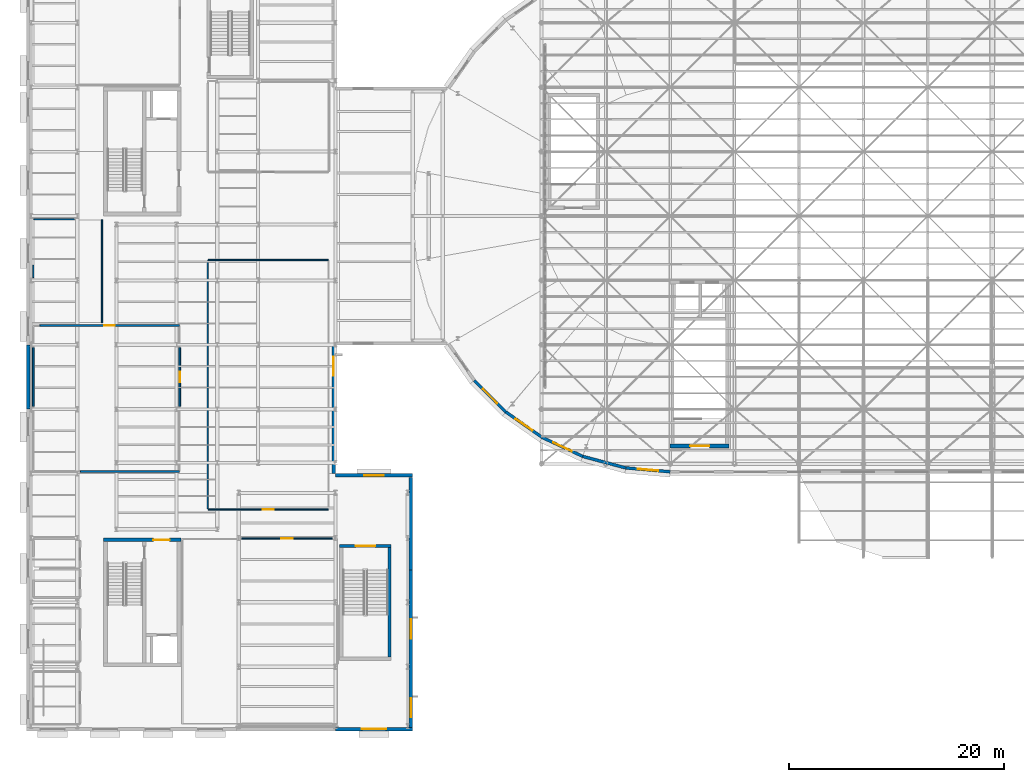
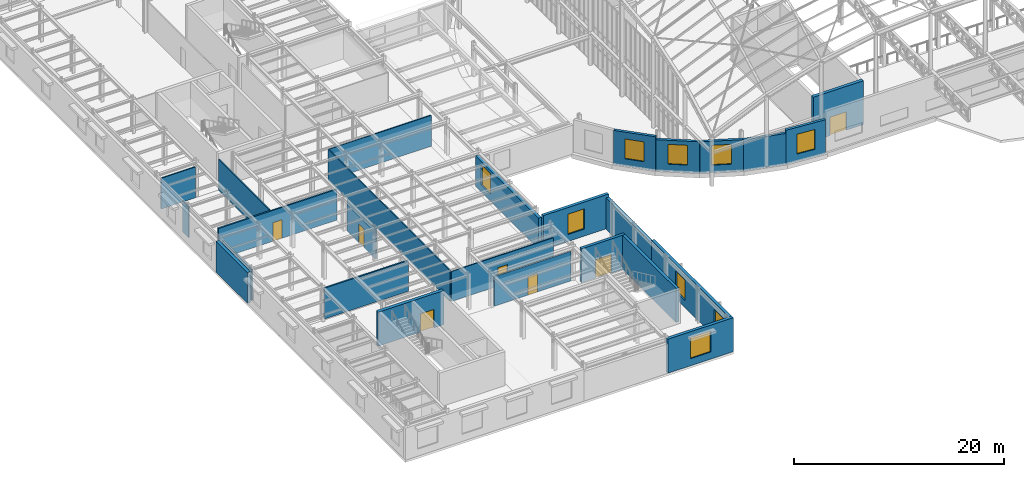
# One storey, part 61 of 75: 26 walls, 9 windows, 7 doors, 16 openings.
"""IFC4 building model written with IfcOpenShell, lengths in metres."""

from ifc_helpers import new_model, si_unit, direction, frame, frame_2d, origin, place, context, subcontext, project, spatial, rectangle, extrude, material, layer, layer_set, type_object, element, fill, save


model = new_model("IFC4")

# Units and contexts
model_context = context("Model", 3, precision=1e-05, world=origin(), true_north=direction((0.0, 1.0)))
body_context = subcontext(model_context, "Body", "Model", "MODEL_VIEW")
ifc_project = project(units=[si_unit("LENGTHUNIT", "METRE"), si_unit("AREAUNIT", "SQUARE_METRE"), si_unit("VOLUMEUNIT", "CUBIC_METRE"), si_unit("PLANEANGLEUNIT", "RADIAN"), si_unit("MASSUNIT", "GRAM", prefix="KILO")], contexts=[model_context])

# Site, building, storey
site_placement = place(None, origin())
site = spatial("IfcSite", under=ifc_project, at=site_placement, CompositionType="ELEMENT")
building_placement = place(site_placement, origin())
building = spatial("IfcBuilding", under=site, at=building_placement, Name="Kolvaren Corner Interchange", CompositionType="ELEMENT")
storey_placement = place(building_placement, frame((0.0, 0.0, 10.5)))
storey = spatial("IfcBuildingStorey", under=building, at=storey_placement, Name="L03", CompositionType="ELEMENT", Elevation=10.5)

# Wall, opening, door
ifc_material_1 = material(Name="Concrete C35/45", Category="concrete")
ifc_layer_1 = layer(ifc_material_1, 0.35009765625)
ifc_layer_set_1 = layer_set([ifc_layer_1], Name="Concrete C35/45")
wall_type_1 = type_object("IfcWallType", Name="WL-CORE-350", PredefinedType="SHEAR", material=ifc_layer_set_1)
wall_1_placement = place(storey_placement, frame((7.199951171875, 17.824951171875, 0.0), z_axis=(0.0, 0.0, 1.0), x_axis=(1.0, 0.0, 0.0)))
wall_1 = element("IfcWall", 1, at=wall_1_placement, inside=storey, type_object=wall_type_1, Name="Core C1 L03 North Shear Wall", PredefinedType="SHEAR", context=body_context, shape_type="SweptSolid", body=[
    extrude(rectangle(XDim=7.199951171875, YDim=0.35009765625, at=frame_2d((3.60009765625, 0.0))), origin(), (0.0, 0.0, 1.0), 3.949951171875),
])
opening_1_placement = place(wall_1_placement, frame((4.64990234375, 0.0, 0.0)))
opening_1 = element("IfcOpeningElement", 2, at=opening_1_placement, cuts=wall_1, Name="Opening D-F02", PredefinedType="OPENING", context=body_context, shape_type="SweptSolid", body=[
    extrude(rectangle(XDim=1.5, YDim=2.14990234375, at=frame_2d((0.75, 1.074951171875))), frame((0.0, 0.18505859375, 0.0), z_axis=(0.0, -1.0, 0.0), x_axis=(1.0, 0.0, 0.0)), (0.0, 0.0, 1.0), 0.3701171875),
])
ifc_material_2 = material(Name="Powder-coated Fire-rated Steel Sheet", Category="steel")
door_type_1 = type_object("IfcDoorType", Name="DT-FD-1500x2150", OperationType="NOTDEFINED", PredefinedType="DOOR", material=ifc_material_2)
door_1_placement = place(opening_1_placement, origin())
door_1 = element("IfcDoor", 3, at=door_1_placement, inside=storey, type_object=door_type_1, Name="Core C1 L03 Firefighting Lobby Corridor Exit Door", OperationType="DOUBLE_DOOR_SINGLE_SWING", OverallHeight=2.14990234375, OverallWidth=1.5, PredefinedType="DOOR", context=body_context, shape_type="SweptSolid", body=[
    extrude(rectangle(XDim=1.5, YDim=2.14990234375, at=frame_2d((0.75, 1.074951171875))), frame((0.0, 0.02490234375, 0.0), z_axis=(0.0, -1.0, 0.0), x_axis=(1.0, 0.0, 0.0)), (0.0, 0.0, 1.0), 0.050048828125),
])
fill(opening_1, door_1)

wall_2_placement = place(storey_placement, frame((60.0, 26.574951171875, 0.0), z_axis=(0.0, 0.0, 1.0), x_axis=(1.0, 0.0, 0.0)))
wall_2 = element("IfcWall", 4, at=wall_2_placement, inside=storey, type_object=wall_type_1, Name="Core C3 L03 South Shear Wall", PredefinedType="SHEAR", context=body_context, shape_type="SweptSolid", body=[
    extrude(rectangle(XDim=5.5, YDim=0.35009765625, at=frame_2d((2.75, 0.0))), origin(), (0.0, 0.0, 1.0), 5.10009765625),
])
opening_2_placement = place(wall_2_placement, frame((1.85009765625, 0.0, 0.0)))
opening_2 = element("IfcOpeningElement", 5, at=opening_2_placement, cuts=wall_2, Name="Opening D-F01", PredefinedType="OPENING", context=body_context, shape_type="SweptSolid", body=[
    extrude(rectangle(XDim=1.800048828125, YDim=2.14990234375, at=frame_2d((0.89990234375, 1.074951171875))), frame((0.0, 0.18505859375, 0.0), z_axis=(0.0, -1.0, 0.0), x_axis=(1.0, 0.0, 0.0)), (0.0, 0.0, 1.0), 0.3701171875),
])
ifc_material_3 = material(Name="Powder-coated Fire-rated Steel Sheet", Category="steel")
door_type_2 = type_object("IfcDoorType", Name="DT-FD-1800x2150", OperationType="NOTDEFINED", PredefinedType="DOOR", material=ifc_material_3)
door_2_placement = place(opening_2_placement, origin())
door_2 = element("IfcDoor", 6, at=door_2_placement, inside=storey, type_object=door_type_2, Name="Core C3 West Concourse Transfer Stair L03 Protected Exit Door", OperationType="DOUBLE_DOOR_SINGLE_SWING", OverallHeight=2.14990234375, OverallWidth=1.800048828125, PredefinedType="DOOR", context=body_context, shape_type="SweptSolid", body=[
    extrude(rectangle(XDim=1.800048828125, YDim=2.14990234375, at=frame_2d((0.89990234375, 1.074951171875))), frame((0.0, 0.02490234375, 0.0), z_axis=(0.0, -1.0, 0.0), x_axis=(1.0, 0.0, 0.0)), (0.0, 0.0, 1.0), 0.050048828125),
])
fill(opening_2, door_2)

ifc_material_4 = material(Name="Concrete C35/45", Category="concrete")
ifc_layer_2 = layer(ifc_material_4, 0.31005859375)
ifc_layer_set_2 = layer_set([ifc_layer_2], Name="Concrete C35/45")
wall_type_2 = type_object("IfcWallType", Name="WL-STAIR-300", PredefinedType="SHEAR", material=ifc_layer_set_2)
wall_3_placement = place(storey_placement, frame((29.199951171875, 17.2451171875, 0.0), z_axis=(0.0, 0.0, 1.0), x_axis=(1.0, 0.0, 0.0)))
wall_3 = element("IfcWall", 7, at=wall_3_placement, inside=storey, type_object=wall_type_2, Name="Operations South Bar Protected Exit Stair L03 North Enclosure Wall", PredefinedType="SHEAR", context=body_context, shape_type="SweptSolid", body=[
    extrude(rectangle(XDim=4.800048828125, YDim=0.31005859375, at=frame_2d((2.39990234375, 0.0))), origin(), (0.0, 0.0, 1.0), 3.949951171875),
])
opening_3_placement = place(wall_3_placement, frame((1.5, 0.0, 0.0)))
opening_3 = element("IfcOpeningElement", 8, at=opening_3_placement, cuts=wall_3, Name="Opening D-F01", PredefinedType="OPENING", context=body_context, shape_type="SweptSolid", body=[
    extrude(rectangle(XDim=1.800048828125, YDim=2.14990234375, at=frame_2d((0.89990234375, 1.074951171875))), frame((0.0, 0.1650390625, 0.0), z_axis=(0.0, -1.0, 0.0), x_axis=(1.0, 0.0, 0.0)), (0.0, 0.0, 1.0), 0.330078125),
])
door_3_placement = place(opening_3_placement, origin())
door_3 = element("IfcDoor", 9, at=door_3_placement, inside=storey, type_object=door_type_2, Name="Operations South Bar Protected Exit Stair L03 Protected Exit Door", OperationType="DOUBLE_DOOR_SINGLE_SWING", OverallHeight=2.14990234375, OverallWidth=1.800048828125, PredefinedType="DOOR", context=body_context, shape_type="SweptSolid", body=[
    extrude(rectangle(XDim=1.800048828125, YDim=2.14990234375, at=frame_2d((0.89990234375, 1.074951171875))), frame((0.0, 0.02490234375, 0.0), z_axis=(0.0, -1.0, 0.0), x_axis=(1.0, 0.0, 0.0)), (0.0, 0.0, 1.0), 0.050048828125),
])
fill(opening_3, door_3)

# Wall
wall_4_placement = place(storey_placement, frame((33.844970703125, 6.909912109375, 0.0), z_axis=(0.0, 0.0, 1.0), x_axis=(0.0, 1.0, 0.0)))
element("IfcWall", 10, at=wall_4_placement, inside=storey, type_object=wall_type_2, Name="Operations South Bar Protected Exit Stair L03 East Enclosure Wall", PredefinedType="SHEAR", context=body_context, shape_type="SweptSolid", body=[
    extrude(rectangle(XDim=10.18017578125, YDim=0.31005859375, at=frame_2d((5.090087890625, 0.0))), origin(), (0.0, 0.0, 1.0), 3.949951171875),
])

# Wall, opening, window
ifc_material_5 = material(Name="Cream Architectural Terracotta Rainscreen Assembly", Category="masonry")
ifc_layer_3 = layer(ifc_material_5, 0.330078125)
ifc_layer_set_3 = layer_set([ifc_layer_3], Name="Cream Architectural Terracotta Rainscreen Assembly")
wall_type_3 = type_object("IfcWallType", Name="WT-EXT-TC320", PredefinedType="SOLIDWALL", material=ifc_layer_set_3)
wall_5_placement = place(storey_placement, frame((28.800048828125, 0.179931640625, 0.0), z_axis=(0.0, 0.0, 1.0), x_axis=(1.0, 0.0, 0.0)))
wall_5 = element("IfcWall", 11, at=wall_5_placement, inside=storey, type_object=wall_type_3, Name="Operations Boulevard South Facade Wall 0027", PredefinedType="SOLIDWALL", context=body_context, shape_type="SweptSolid", body=[
    extrude(rectangle(XDim=7.199951171875, YDim=0.330078125, at=frame_2d((3.60009765625, 0.0))), origin(), (0.0, 0.0, 1.0), 3.949951171875),
])
opening_4_placement = place(wall_5_placement, frame((2.47509765625, 0.0, 0.820068359375)))
opening_4 = element("IfcOpeningElement", 12, at=opening_4_placement, cuts=wall_5, Name="Opening W-19", PredefinedType="OPENING", context=body_context, shape_type="SweptSolid", body=[
    extrude(rectangle(XDim=2.25, YDim=2.449951171875, at=frame_2d((1.125, 1.22509765625))), frame((0.0, 0.175048828125, 0.0), z_axis=(0.0, -1.0, 0.0), x_axis=(1.0, 0.0, 0.0)), (0.0, 0.0, 1.0), 0.35009765625),
])
ifc_material_6 = material(Name="Thermally Broken Aluminium and Solar-Control Double Glazing", Category="aluminium")
window_type_1 = type_object("IfcWindowType", Name="WT-CHI-2250x2450", PartitioningType="TRIPLE_PANEL_HORIZONTAL", PredefinedType="WINDOW", material=ifc_material_6)
window_1_placement = place(opening_4_placement, origin())
window_1 = element("IfcWindow", 13, at=window_1_placement, inside=storey, type_object=window_type_1, Name="L03 Operations Boulevard South Facade Window 0061", OverallHeight=2.449951171875, OverallWidth=2.25, PartitioningType="SINGLE_PANEL", PredefinedType="WINDOW", context=body_context, shape_type="SweptSolid", body=[
    extrude(rectangle(XDim=2.25, YDim=2.449951171875, at=frame_2d((1.125, 1.22509765625))), frame((0.0, 0.030029296875, 0.0), z_axis=(0.0, -1.0, 0.0), x_axis=(1.0, 0.0, 0.0)), (0.0, 0.0, 1.0), 0.06005859375),
])
fill(opening_4, window_1)

# Wall, openings, windows
wall_6_placement = place(storey_placement, frame((35.830078125, 0.344970703125, 0.0), z_axis=(0.0, 0.0, 1.0), x_axis=(0.0, 1.0, 0.0)))
wall_6 = element("IfcWall", 14, at=wall_6_placement, inside=storey, type_object=wall_type_3, Name="Operations Forecourt East Facade Wall 0028", PredefinedType="SOLIDWALL", context=body_context, shape_type="SweptSolid", body=[
    extrude(rectangle(XDim=14.655029296875, YDim=0.330078125, at=frame_2d((7.32763671875, 0.0))), origin(), (0.0, 0.0, 1.0), 3.949951171875),
])
opening_5_placement = place(wall_6_placement, frame((0.931884765625, 0.0, 0.820068359375)))
opening_5 = element("IfcOpeningElement", 15, at=opening_5_placement, cuts=wall_6, Name="Opening W-03", PredefinedType="OPENING", context=body_context, shape_type="SweptSolid", body=[
    extrude(rectangle(XDim=1.800048828125, YDim=2.35009765625, at=frame_2d((0.89990234375, 1.175048828125))), frame((0.0, 0.175048828125, 0.0), z_axis=(0.0, -1.0, 0.0), x_axis=(1.0, 0.0, 0.0)), (0.0, 0.0, 1.0), 0.35009765625),
])
opening_6_placement = place(wall_6_placement, frame((8.259521484375, 0.0, 0.820068359375)))
opening_6 = element("IfcOpeningElement", 16, at=opening_6_placement, cuts=wall_6, Name="Opening W-03", PredefinedType="OPENING", context=body_context, shape_type="SweptSolid", body=[
    extrude(rectangle(XDim=1.800048828125, YDim=2.35009765625, at=frame_2d((0.89990234375, 1.175048828125))), frame((0.0, 0.175048828125, 0.0), z_axis=(0.0, -1.0, 0.0), x_axis=(1.0, 0.0, 0.0)), (0.0, 0.0, 1.0), 0.35009765625),
])
ifc_material_7 = material(Name="Thermally Broken Aluminium and Solar-Control Double Glazing", Category="aluminium")
window_type_2 = type_object("IfcWindowType", Name="WT-CHI-1800x2400", PartitioningType="DOUBLE_PANEL_VERTICAL", PredefinedType="WINDOW", material=ifc_material_7)
window_2_placement = place(opening_5_placement, origin())
window_2 = element("IfcWindow", 17, at=window_2_placement, inside=storey, type_object=window_type_2, Name="L03 Operations Forecourt East Facade Window 0062", OverallHeight=2.35009765625, OverallWidth=1.800048828125, PartitioningType="SINGLE_PANEL", PredefinedType="WINDOW", context=body_context, shape_type="SweptSolid", body=[
    extrude(rectangle(XDim=1.800048828125, YDim=2.35009765625, at=frame_2d((0.89990234375, 1.175048828125))), frame((0.0, 0.030029296875, 0.0), z_axis=(0.0, -1.0, 0.0), x_axis=(1.0, 0.0, 0.0)), (0.0, 0.0, 1.0), 0.06005859375),
])
fill(opening_5, window_2)
window_3_placement = place(opening_6_placement, origin())
window_3 = element("IfcWindow", 18, at=window_3_placement, inside=storey, type_object=window_type_2, Name="L03 Operations Forecourt East Facade Window 0063", OverallHeight=2.35009765625, OverallWidth=1.800048828125, PartitioningType="SINGLE_PANEL", PredefinedType="WINDOW", context=body_context, shape_type="SweptSolid", body=[
    extrude(rectangle(XDim=1.800048828125, YDim=2.35009765625, at=frame_2d((0.89990234375, 1.175048828125))), frame((0.0, 0.030029296875, 0.0), z_axis=(0.0, -1.0, 0.0), x_axis=(1.0, 0.0, 0.0)), (0.0, 0.0, 1.0), 0.06005859375),
])
fill(opening_6, window_3)

# Wall
wall_7_placement = place(storey_placement, frame((35.830078125, 15.0, 0.0), z_axis=(0.0, 0.0, 1.0), x_axis=(0.0, 1.0, 0.0)))
element("IfcWall", 19, at=wall_7_placement, inside=storey, type_object=wall_type_3, Name="Operations Forecourt East Facade Wall 0029", PredefinedType="SOLIDWALL", context=body_context, shape_type="SweptSolid", body=[
    extrude(rectangle(XDim=8.64990234375, YDim=0.330078125, at=frame_2d((4.324951171875, 0.0))), origin(), (0.0, 0.0, 1.0), 3.625),
])

# Wall, opening, window
wall_8_placement = place(storey_placement, frame((36.0, 23.830078125, 0.0), z_axis=(0.0, 0.0, 1.0), x_axis=(-1.0, 0.0, 0.0)))
wall_8 = element("IfcWall", 20, at=wall_8_placement, inside=storey, type_object=wall_type_3, Name="Operations Inner Courtyard South Return Wall 0030", PredefinedType="SOLIDWALL", context=body_context, shape_type="SweptSolid", body=[
    extrude(rectangle(XDim=7.199951171875, YDim=0.330078125, at=frame_2d((3.60009765625, 0.0))), origin(), (0.0, 0.0, 1.0), 3.949951171875),
])
opening_7_placement = place(wall_8_placement, frame((2.699951171875, 0.0, 0.820068359375)))
opening_7 = element("IfcOpeningElement", 21, at=opening_7_placement, cuts=wall_8, Name="Opening W-03", PredefinedType="OPENING", context=body_context, shape_type="SweptSolid", body=[
    extrude(rectangle(XDim=1.800048828125, YDim=2.35009765625, at=frame_2d((0.89990234375, 1.175048828125))), frame((0.0, 0.175048828125, 0.0), z_axis=(0.0, -1.0, 0.0), x_axis=(1.0, 0.0, 0.0)), (0.0, 0.0, 1.0), 0.35009765625),
])
window_4_placement = place(opening_7_placement, origin())
window_4 = element("IfcWindow", 22, at=window_4_placement, inside=storey, type_object=window_type_2, Name="L03 Operations Inner Courtyard South Return Window 0064", OverallHeight=2.35009765625, OverallWidth=1.800048828125, PartitioningType="SINGLE_PANEL", PredefinedType="WINDOW", context=body_context, shape_type="SweptSolid", body=[
    extrude(rectangle(XDim=1.800048828125, YDim=2.35009765625, at=frame_2d((0.89990234375, 1.175048828125))), frame((0.0, 0.030029296875, 0.0), z_axis=(0.0, -1.0, 0.0), x_axis=(1.0, 0.0, 0.0)), (0.0, 0.0, 1.0), 0.06005859375),
])
fill(opening_7, window_4)

wall_9_placement = place(storey_placement, frame((28.6298828125, 24.0, 0.0), z_axis=(0.0, 0.0, 1.0), x_axis=(0.0, 1.0, 0.0)))
wall_9 = element("IfcWall", 23, at=wall_9_placement, inside=storey, type_object=wall_type_3, Name="Operations Courtyard Lower East Facade Wall 0031", PredefinedType="SOLIDWALL", context=body_context, shape_type="SweptSolid", body=[
    extrude(rectangle(XDim=12.0, YDim=0.330078125, at=frame_2d((6.0, 0.0))), origin(), (0.0, 0.0, 1.0), 3.56494140625),
])
opening_8_placement = place(wall_9_placement, frame((9.10009765625, 0.0, 0.820068359375)))
opening_8 = element("IfcOpeningElement", 24, at=opening_8_placement, cuts=wall_9, Name="Opening W-03", PredefinedType="OPENING", context=body_context, shape_type="SweptSolid", body=[
    extrude(rectangle(XDim=1.800048828125, YDim=2.35009765625, at=frame_2d((0.89990234375, 1.175048828125))), frame((0.0, 0.175048828125, 0.0), z_axis=(0.0, -1.0, 0.0), x_axis=(1.0, 0.0, 0.0)), (0.0, 0.0, 1.0), 0.35009765625),
])
window_5_placement = place(opening_8_placement, origin())
window_5 = element("IfcWindow", 25, at=window_5_placement, inside=storey, type_object=window_type_2, Name="L03 Operations Courtyard Lower East Facade Window 0065", OverallHeight=2.35009765625, OverallWidth=1.800048828125, PartitioningType="SINGLE_PANEL", PredefinedType="WINDOW", context=body_context, shape_type="SweptSolid", body=[
    extrude(rectangle(XDim=1.800048828125, YDim=2.35009765625, at=frame_2d((0.89990234375, 1.175048828125))), frame((0.0, 0.030029296875, 0.0), z_axis=(0.0, -1.0, 0.0), x_axis=(1.0, 0.0, 0.0)), (0.0, 0.0, 1.0), 0.06005859375),
])
fill(opening_8, window_5)

# Wall
wall_10_placement = place(storey_placement, frame((0.169921875, 36.0, 0.0), z_axis=(0.0, 0.0, 1.0), x_axis=(0.0, -1.0, 0.0)))
element("IfcWall", 26, at=wall_10_placement, inside=storey, type_object=wall_type_3, Name="Operations Trelmava Street West Facade Wall 0035", PredefinedType="SOLIDWALL", context=body_context, shape_type="SweptSolid", body=[
    extrude(rectangle(XDim=6.0, YDim=0.330078125, at=frame_2d((3.0, 0.0))), origin(), (0.0, 0.0, 1.0), 3.5849609375),
])

# Wall, opening, window
ifc_material_8 = material(Name="White Glazed Ceramic Terracotta Band Assembly", Category="masonry")
ifc_layer_4 = layer(ifc_material_8, 0.280029296875)
ifc_layer_set_4 = layer_set([ifc_layer_4], Name="White Glazed Ceramic Terracotta Band Assembly")
wall_type_4 = type_object("IfcWallType", Name="WT-EXT-WHT280", PredefinedType="SOLIDWALL", material=ifc_layer_set_4)
wall_11_placement = place(storey_placement, frame((41.737548828125, 32.67578125, 0.0), z_axis=(0.0, 0.0, 1.0), x_axis=(0.707106781187, -0.707106781187, 0.0)))
wall_11 = element("IfcWall", 27, at=wall_11_placement, inside=storey, type_object=wall_type_4, Name="Racetrack West Curved Drum Chord 14 Wall 0096", PredefinedType="SOLIDWALL", context=body_context, shape_type="SweptSolid", body=[
    extrude(rectangle(XDim=4.1552734375, YDim=0.280029296875, at=frame_2d((2.07763671875, 0.0))), origin(), (0.0, 0.0, 1.0), 3.949951171875),
])
opening_9_placement = place(wall_11_placement, frame((1.127685546875, 0.0, 0.85009765625)))
opening_9 = element("IfcOpeningElement", 28, at=opening_9_placement, cuts=wall_11, Name="Opening W-05", PredefinedType="OPENING", context=body_context, shape_type="SweptSolid", body=[
    extrude(rectangle(XDim=1.89990234375, YDim=2.300048828125, at=frame_2d((0.949951171875, 1.14990234375))), frame((0.0, 0.14990234375, 0.0), z_axis=(0.0, -1.0, 0.0), x_axis=(1.0, 0.0, 0.0)), (0.0, 0.0, 1.0), 0.300048828125),
])
ifc_material_9 = material(Name="Thermally Broken Aluminium and Solar-Control Double Glazing", Category="aluminium")
window_type_3 = type_object("IfcWindowType", Name="WT-ARC-1900x2300", PartitioningType="DOUBLE_PANEL_VERTICAL", PredefinedType="WINDOW", material=ifc_material_9)
window_6_placement = place(opening_9_placement, origin())
window_6 = element("IfcWindow", 29, at=window_6_placement, inside=storey, type_object=window_type_3, Name="L03 Racetrack West Curved Drum Chord 14 Window 0171", OverallHeight=2.300048828125, OverallWidth=1.89990234375, PartitioningType="SINGLE_PANEL", PredefinedType="WINDOW", context=body_context, shape_type="SweptSolid", body=[
    extrude(rectangle(XDim=1.89990234375, YDim=2.300048828125, at=frame_2d((0.949951171875, 1.14990234375))), frame((0.0, 0.030029296875, 0.0), z_axis=(0.0, -1.0, 0.0), x_axis=(1.0, 0.0, 0.0)), (0.0, 0.0, 1.0), 0.06005859375),
])
fill(opening_9, window_6)

wall_12_placement = place(storey_placement, frame((44.67578125, 29.737548828125, 0.0), z_axis=(0.0, 0.0, 1.0), x_axis=(0.819171197327, -0.573549082007, 0.0)))
wall_12 = element("IfcWall", 30, at=wall_12_placement, inside=storey, type_object=wall_type_4, Name="Racetrack West Curved Drum Chord 15 Wall 0097", PredefinedType="SOLIDWALL", context=body_context, shape_type="SweptSolid", body=[
    extrude(rectangle(XDim=4.15576171875, YDim=0.280029296875, at=frame_2d((2.077880859375, 0.0))), origin(), (0.0, 0.0, 1.0), 3.625),
])
opening_10_placement = place(wall_12_placement, frame((1.127685546875, 0.0, 0.85009765625)))
opening_10 = element("IfcOpeningElement", 31, at=opening_10_placement, cuts=wall_12, Name="Opening W-05", PredefinedType="OPENING", context=body_context, shape_type="SweptSolid", body=[
    extrude(rectangle(XDim=1.89990234375, YDim=2.300048828125, at=frame_2d((0.949951171875, 1.14990234375))), frame((0.0, 0.14990234375, 0.0), z_axis=(0.0, -1.0, 0.0), x_axis=(1.0, 0.0, 0.0)), (0.0, 0.0, 1.0), 0.300048828125),
])
window_7_placement = place(opening_10_placement, origin())
window_7 = element("IfcWindow", 32, at=window_7_placement, inside=storey, type_object=window_type_3, Name="L03 Racetrack West Curved Drum Chord 15 Window 0172", OverallHeight=2.300048828125, OverallWidth=1.89990234375, PartitioningType="SINGLE_PANEL", PredefinedType="WINDOW", context=body_context, shape_type="SweptSolid", body=[
    extrude(rectangle(XDim=1.89990234375, YDim=2.300048828125, at=frame_2d((0.949951171875, 1.14990234375))), frame((0.0, 0.030029296875, 0.0), z_axis=(0.0, -1.0, 0.0), x_axis=(1.0, 0.0, 0.0)), (0.0, 0.0, 1.0), 0.06005859375),
])
fill(opening_10, window_7)

wall_13_placement = place(storey_placement, frame((48.080078125, 27.35400390625, 0.0), z_axis=(0.0, 0.0, 1.0), x_axis=(0.906291177731, -0.422653878685, 0.0)))
wall_13 = element("IfcWall", 33, at=wall_13_placement, inside=storey, type_object=wall_type_4, Name="Racetrack West Curved Drum Chord 16 Wall 0098", PredefinedType="SOLIDWALL", context=body_context, shape_type="SweptSolid", body=[
    extrude(rectangle(XDim=4.155517578125, YDim=0.280029296875, at=frame_2d((2.07763671875, 0.0))), origin(), (0.0, 0.0, 1.0), 3.625),
])
opening_11_placement = place(wall_13_placement, frame((1.127685546875, 0.0, 0.85009765625)))
opening_11 = element("IfcOpeningElement", 34, at=opening_11_placement, cuts=wall_13, Name="Opening W-05", PredefinedType="OPENING", context=body_context, shape_type="SweptSolid", body=[
    extrude(rectangle(XDim=1.89990234375, YDim=2.300048828125, at=frame_2d((0.949951171875, 1.14990234375))), frame((0.0, 0.14990234375, 0.0), z_axis=(0.0, -1.0, 0.0), x_axis=(1.0, 0.0, 0.0)), (0.0, 0.0, 1.0), 0.300048828125),
])
window_8_placement = place(opening_11_placement, origin())
window_8 = element("IfcWindow", 35, at=window_8_placement, inside=storey, type_object=window_type_3, Name="L03 Racetrack West Curved Drum Chord 16 Window 0173", OverallHeight=2.300048828125, OverallWidth=1.89990234375, PartitioningType="SINGLE_PANEL", PredefinedType="WINDOW", context=body_context, shape_type="SweptSolid", body=[
    extrude(rectangle(XDim=1.89990234375, YDim=2.300048828125, at=frame_2d((0.949951171875, 1.14990234375))), frame((0.0, 0.030029296875, 0.0), z_axis=(0.0, -1.0, 0.0), x_axis=(1.0, 0.0, 0.0)), (0.0, 0.0, 1.0), 0.06005859375),
])
fill(opening_11, window_8)

# Wall
wall_14_placement = place(storey_placement, frame((51.84619140625, 25.59765625, 0.0), z_axis=(0.0, 0.0, 1.0), x_axis=(0.965931006096, -0.258799713026, 0.0)))
element("IfcWall", 36, at=wall_14_placement, inside=storey, type_object=wall_type_4, Name="Racetrack West Curved Drum Chord 17 Wall 0099", PredefinedType="SOLIDWALL", context=body_context, shape_type="SweptSolid", body=[
    extrude(rectangle(XDim=4.155517578125, YDim=0.280029296875, at=frame_2d((2.07763671875, 0.0))), origin(), (0.0, 0.0, 1.0), 3.5849609375),
])

# Wall, opening, window
wall_15_placement = place(storey_placement, frame((55.860107421875, 24.522216796875, 0.0), z_axis=(0.0, 0.0, 1.0), x_axis=(0.99619237826, -0.087182254487, 0.0)))
wall_15 = element("IfcWall", 37, at=wall_15_placement, inside=storey, type_object=wall_type_4, Name="Racetrack West Curved Drum Chord 18 Wall 0100", PredefinedType="SOLIDWALL", context=body_context, shape_type="SweptSolid", body=[
    extrude(rectangle(XDim=4.15576171875, YDim=0.280029296875, at=frame_2d((2.077880859375, 0.0))), origin(), (0.0, 0.0, 1.0), 3.949951171875),
])
opening_12_placement = place(wall_15_placement, frame((1.127685546875, 0.0, 0.85009765625)))
opening_12 = element("IfcOpeningElement", 38, at=opening_12_placement, cuts=wall_15, Name="Opening W-05", PredefinedType="OPENING", context=body_context, shape_type="SweptSolid", body=[
    extrude(rectangle(XDim=1.89990234375, YDim=2.300048828125, at=frame_2d((0.949951171875, 1.14990234375))), frame((0.0, 0.14990234375, 0.0), z_axis=(0.0, -1.0, 0.0), x_axis=(1.0, 0.0, 0.0)), (0.0, 0.0, 1.0), 0.300048828125),
])
window_9_placement = place(opening_12_placement, origin())
window_9 = element("IfcWindow", 39, at=window_9_placement, inside=storey, type_object=window_type_3, Name="L03 Racetrack West Curved Drum Chord 18 Window 0174", OverallHeight=2.300048828125, OverallWidth=1.89990234375, PartitioningType="SINGLE_PANEL", PredefinedType="WINDOW", context=body_context, shape_type="SweptSolid", body=[
    extrude(rectangle(XDim=1.89990234375, YDim=2.300048828125, at=frame_2d((0.949951171875, 1.14990234375))), frame((0.0, 0.030029296875, 0.0), z_axis=(0.0, -1.0, 0.0), x_axis=(1.0, 0.0, 0.0)), (0.0, 0.0, 1.0), 0.06005859375),
])
fill(opening_12, window_9)

# Wall
ifc_material_10 = material(Name="Acoustic Double-Stud Drywall Partition")
ifc_layer_5 = layer(ifc_material_10, 0.159912109375)
ifc_layer_set_5 = layer_set([ifc_layer_5], Name="Acoustic Double-Stud Drywall Partition")
wall_type_5 = type_object("IfcWallType", Name="WT-PART-AC160", PredefinedType="PARTITIONING", material=ifc_layer_set_5)
wall_16_placement = place(storey_placement, frame((5.034912109375, 24.199951171875, 0.0), z_axis=(0.0, 0.0, 1.0), x_axis=(1.0, 0.0, 0.0)))
element("IfcWall", 40, at=wall_16_placement, inside=storey, type_object=wall_type_5, Name="L03 Intermodal Authority Boardroom Partition Wall 129", PredefinedType="PARTITIONING", context=body_context, shape_type="SweptSolid", body=[
    extrude(rectangle(XDim=9.215087890625, YDim=0.159912109375, at=frame_2d((4.607421875, 0.0))), origin(), (0.0, 0.0, 1.0), 3.580078125),
])

# Wall, opening, door
wall_17_placement = place(storey_placement, frame((14.300048828125, 30.260009765625, 0.0), z_axis=(0.0, 0.0, 1.0), x_axis=(0.0, 1.0, 0.0)))
wall_17 = element("IfcWall", 41, at=wall_17_placement, inside=storey, type_object=wall_type_5, Name="L03 Intermodal Authority Boardroom Partition Wall 130", PredefinedType="PARTITIONING", context=body_context, shape_type="SweptSolid", body=[
    extrude(rectangle(XDim=5.47998046875, YDim=0.159912109375, at=frame_2d((2.739990234375, 0.0))), origin(), (0.0, 0.0, 1.0), 3.580078125),
])
opening_13_placement = place(wall_17_placement, frame((2.239990234375, 0.0, 0.0)))
opening_13 = element("IfcOpeningElement", 42, at=opening_13_placement, cuts=wall_17, Name="Opening D-F04", PredefinedType="OPENING", context=body_context, shape_type="SweptSolid", body=[
    extrude(rectangle(XDim=1.0, YDim=2.14990234375, at=frame_2d((0.5, 1.074951171875))), frame((0.0, 0.08984375, 0.0), z_axis=(0.0, -1.0, 0.0), x_axis=(1.0, 0.0, 0.0)), (0.0, 0.0, 1.0), 0.179931640625),
])
ifc_material_11 = material(Name="Solid-Core Iroko Timber Fire Door", Category="wood")
door_type_3 = type_object("IfcDoorType", Name="DT-FD-1000x2150", OperationType="NOTDEFINED", PredefinedType="DOOR", material=ifc_material_11)
door_4_placement = place(opening_13_placement, origin())
door_4 = element("IfcDoor", 43, at=door_4_placement, inside=storey, type_object=door_type_3, Name="L03 Intermodal Authority Boardroom Door", OperationType="SINGLE_SWING_RIGHT", OverallHeight=2.14990234375, OverallWidth=1.0, PredefinedType="DOOR", context=body_context, shape_type="SweptSolid", body=[
    extrude(rectangle(XDim=1.0, YDim=2.14990234375, at=frame_2d((0.5, 1.074951171875))), frame((0.0, 0.02490234375, 0.0), z_axis=(0.0, -1.0, 0.0), x_axis=(1.0, 0.0, 0.0)), (0.0, 0.0, 1.0), 0.050048828125),
])
fill(opening_13, door_4)

wall_18_placement = place(storey_placement, frame((14.25, 37.800048828125, 0.0), z_axis=(0.0, 0.0, 1.0), x_axis=(-1.0, 0.0, 0.0)))
wall_18 = element("IfcWall", 44, at=wall_18_placement, inside=storey, type_object=wall_type_5, Name="L03 Intermodal Authority Boardroom Partition Wall 131", PredefinedType="PARTITIONING", context=body_context, shape_type="SweptSolid", body=[
    extrude(rectangle(XDim=12.97998046875, YDim=0.159912109375, at=frame_2d((6.489990234375, 0.0))), origin(), (0.0, 0.0, 1.0), 3.580078125),
])
opening_14_placement = place(wall_18_placement, frame((5.989990234375, 0.0, 0.0)))
opening_14 = element("IfcOpeningElement", 45, at=opening_14_placement, cuts=wall_18, Name="Opening D-F04", PredefinedType="OPENING", context=body_context, shape_type="SweptSolid", body=[
    extrude(rectangle(XDim=1.0, YDim=2.14990234375, at=frame_2d((0.5, 1.074951171875))), frame((0.0, 0.08984375, 0.0), z_axis=(0.0, -1.0, 0.0), x_axis=(1.0, 0.0, 0.0)), (0.0, 0.0, 1.0), 0.179931640625),
])
door_5_placement = place(opening_14_placement, origin())
door_5 = element("IfcDoor", 46, at=door_5_placement, inside=storey, type_object=door_type_3, Name="L03 Network IT and Fibre Patch Room Door", OperationType="SINGLE_SWING_LEFT", OverallHeight=2.14990234375, OverallWidth=1.0, PredefinedType="DOOR", context=body_context, shape_type="SweptSolid", body=[
    extrude(rectangle(XDim=1.0, YDim=2.14990234375, at=frame_2d((0.5, 1.074951171875))), frame((0.0, 0.02490234375, 0.0), z_axis=(0.0, -1.0, 0.0), x_axis=(1.0, 0.0, 0.0)), (0.0, 0.0, 1.0), 0.050048828125),
])
fill(opening_14, door_5)

# Wall
wall_19_placement = place(storey_placement, frame((0.64990234375, 35.739990234375, 0.0), z_axis=(0.0, 0.0, 1.0), x_axis=(0.0, -1.0, 0.0)))
element("IfcWall", 47, at=wall_19_placement, inside=storey, type_object=wall_type_5, Name="L03 Intermodal Authority Boardroom Partition Wall 132", PredefinedType="PARTITIONING", context=body_context, shape_type="SweptSolid", body=[
    extrude(rectangle(XDim=5.47998046875, YDim=0.159912109375, at=frame_2d((2.739990234375, 0.0))), origin(), (0.0, 0.0, 1.0), 3.580078125),
])

# Wall, opening, door
ifc_material_12 = material(Name="Standard Metal-Stud Drywall Partition")
ifc_layer_6 = layer(ifc_material_12, 0.1201171875)
ifc_layer_set_6 = layer_set([ifc_layer_6], Name="Standard Metal-Stud Drywall Partition")
wall_type_6 = type_object("IfcWallType", Name="WT-PART-ST125", PredefinedType="PARTITIONING", material=ifc_layer_set_6)
wall_20_placement = place(storey_placement, frame((16.949951171875, 20.64990234375, 0.0), z_axis=(0.0, 0.0, 1.0), x_axis=(1.0, 0.0, 0.0)))
wall_20 = element("IfcWall", 48, at=wall_20_placement, inside=storey, type_object=wall_type_6, Name="L03 Transit Authority Open-Plan Offices Partition Wall 123", PredefinedType="PARTITIONING", context=body_context, shape_type="SweptSolid", body=[
    extrude(rectangle(XDim=11.199951171875, YDim=0.1201171875, at=frame_2d((5.60009765625, 0.0))), origin(), (0.0, 0.0, 1.0), 3.485107421875),
])
opening_15_placement = place(wall_20_placement, frame((5.074951171875, 0.0, 0.0)))
opening_15 = element("IfcOpeningElement", 49, at=opening_15_placement, cuts=wall_20, Name="Opening D-I02", PredefinedType="OPENING", context=body_context, shape_type="SweptSolid", body=[
    extrude(rectangle(XDim=1.050048828125, YDim=2.14990234375, at=frame_2d((0.52490234375, 1.074951171875))), frame((0.0, 0.070068359375, 0.0), z_axis=(0.0, -1.0, 0.0), x_axis=(1.0, 0.0, 0.0)), (0.0, 0.0, 1.0), 0.14013671875),
])
ifc_material_13 = material(Name="Solid-Core Iroko Timber Door", Category="wood")
door_type_4 = type_object("IfcDoorType", Name="DT-INT-1050x2150", OperationType="NOTDEFINED", PredefinedType="DOOR", material=ifc_material_13)
door_6_placement = place(opening_15_placement, origin())
door_6 = element("IfcDoor", 50, at=door_6_placement, inside=storey, type_object=door_type_4, Name="L03 Transit Authority Open-Plan Offices Door", OperationType="SINGLE_SWING_RIGHT", OverallHeight=2.14990234375, OverallWidth=1.050048828125, PredefinedType="DOOR", context=body_context, shape_type="SweptSolid", body=[
    extrude(rectangle(XDim=1.050048828125, YDim=2.14990234375, at=frame_2d((0.52490234375, 1.074951171875))), frame((0.0, 0.02490234375, 0.0), z_axis=(0.0, -1.0, 0.0), x_axis=(1.0, 0.0, 0.0)), (0.0, 0.0, 1.0), 0.050048828125),
])
fill(opening_15, door_6)

# Walls
wall_21_placement = place(storey_placement, frame((28.14990234375, 43.89990234375, 0.0), z_axis=(0.0, 0.0, 1.0), x_axis=(-1.0, 0.0, 0.0)))
element("IfcWall", 51, at=wall_21_placement, inside=storey, type_object=wall_type_6, Name="L03 Transit Authority Open-Plan Offices Partition Wall 124", PredefinedType="PARTITIONING", context=body_context, shape_type="SweptSolid", body=[
    extrude(rectangle(XDim=11.199951171875, YDim=0.1201171875, at=frame_2d((5.60009765625, 0.0))), origin(), (0.0, 0.0, 1.0), 3.580078125),
])
wall_22_placement = place(storey_placement, frame((16.89990234375, 43.837890625, 0.0), z_axis=(0.0, 0.0, 1.0), x_axis=(0.0, -1.0, 0.0)))
element("IfcWall", 52, at=wall_22_placement, inside=storey, type_object=wall_type_6, Name="L03 Transit Authority Open-Plan Offices Partition Wall 125", PredefinedType="PARTITIONING", context=body_context, shape_type="SweptSolid", body=[
    extrude(rectangle(XDim=23.1259765625, YDim=0.1201171875, at=frame_2d((11.56298828125, 0.0))), origin(), (0.0, 0.0, 1.0), 3.580078125),
])

# Wall, opening, door
wall_23_placement = place(storey_placement, frame((28.514892578125, 17.949951171875, 0.0), z_axis=(0.0, 0.0, 1.0), x_axis=(-1.0, 0.0, 0.0)))
wall_23 = element("IfcWall", 53, at=wall_23_placement, inside=storey, type_object=wall_type_6, Name="L03 Ticketing Revenue and Clearing Suite Partition Wall 128", PredefinedType="PARTITIONING", context=body_context, shape_type="SweptSolid", body=[
    extrude(rectangle(XDim=8.429931640625, YDim=0.1201171875, at=frame_2d((4.21484375, 0.0))), origin(), (0.0, 0.0, 1.0), 3.425048828125),
])
opening_16_placement = place(wall_23_placement, frame((3.68994140625, 0.0, 0.0)))
opening_16 = element("IfcOpeningElement", 54, at=opening_16_placement, cuts=wall_23, Name="Opening D-I02", PredefinedType="OPENING", context=body_context, shape_type="SweptSolid", body=[
    extrude(rectangle(XDim=1.050048828125, YDim=2.14990234375, at=frame_2d((0.52490234375, 1.074951171875))), frame((0.0, 0.070068359375, 0.0), z_axis=(0.0, -1.0, 0.0), x_axis=(1.0, 0.0, 0.0)), (0.0, 0.0, 1.0), 0.14013671875),
])
door_7_placement = place(opening_16_placement, origin())
door_7 = element("IfcDoor", 55, at=door_7_placement, inside=storey, type_object=door_type_4, Name="L03 Ticketing Revenue and Clearing Suite Door", OperationType="SINGLE_SWING_LEFT", OverallHeight=2.14990234375, OverallWidth=1.050048828125, PredefinedType="DOOR", context=body_context, shape_type="SweptSolid", body=[
    extrude(rectangle(XDim=1.050048828125, YDim=2.14990234375, at=frame_2d((0.52490234375, 1.074951171875))), frame((0.0, 0.02490234375, 0.0), z_axis=(0.0, -1.0, 0.0), x_axis=(1.0, 0.0, 0.0)), (0.0, 0.0, 1.0), 0.050048828125),
])
fill(opening_16, door_7)

# Walls
wall_24_placement = place(storey_placement, frame((7.050048828125, 38.050048828125, 0.0), z_axis=(0.0, 0.0, 1.0), x_axis=(0.0, 1.0, 0.0)))
element("IfcWall", 56, at=wall_24_placement, inside=storey, type_object=wall_type_6, Name="L03 Network IT and Fibre Patch Room Partition Wall 133", PredefinedType="PARTITIONING", context=body_context, shape_type="SweptSolid", body=[
    extrude(rectangle(XDim=9.599853515625, YDim=0.1201171875, at=frame_2d((4.7998046875, 0.0))), origin(), (0.0, 0.0, 1.0), 3.580078125),
])
wall_25_placement = place(storey_placement, frame((4.465087890625, 47.699951171875, 0.0), z_axis=(0.0, 0.0, 1.0), x_axis=(-1.0, 0.0, 0.0)))
element("IfcWall", 57, at=wall_25_placement, inside=storey, type_object=wall_type_6, Name="L03 Network IT and Fibre Patch Room Partition Wall 134", PredefinedType="PARTITIONING", context=body_context, shape_type="SweptSolid", body=[
    extrude(rectangle(XDim=3.755126953125, YDim=0.1201171875, at=frame_2d((1.87744140625, 0.0))), origin(), (0.0, 0.0, 1.0), 3.580078125),
])
wall_26_placement = place(storey_placement, frame((0.64990234375, 43.41064453125, 0.0), z_axis=(0.0, 0.0, 1.0), x_axis=(0.0, -1.0, 0.0)))
element("IfcWall", 58, at=wall_26_placement, inside=storey, type_object=wall_type_6, Name="L03 Network IT and Fibre Patch Room Partition Wall 135", PredefinedType="PARTITIONING", context=body_context, shape_type="SweptSolid", body=[
    extrude(rectangle(XDim=1.150634765625, YDim=0.1201171875, at=frame_2d((0.5751953125, 0.0))), origin(), (0.0, 0.0, 1.0), 3.580078125),
])

save(model, "model.ifc")
